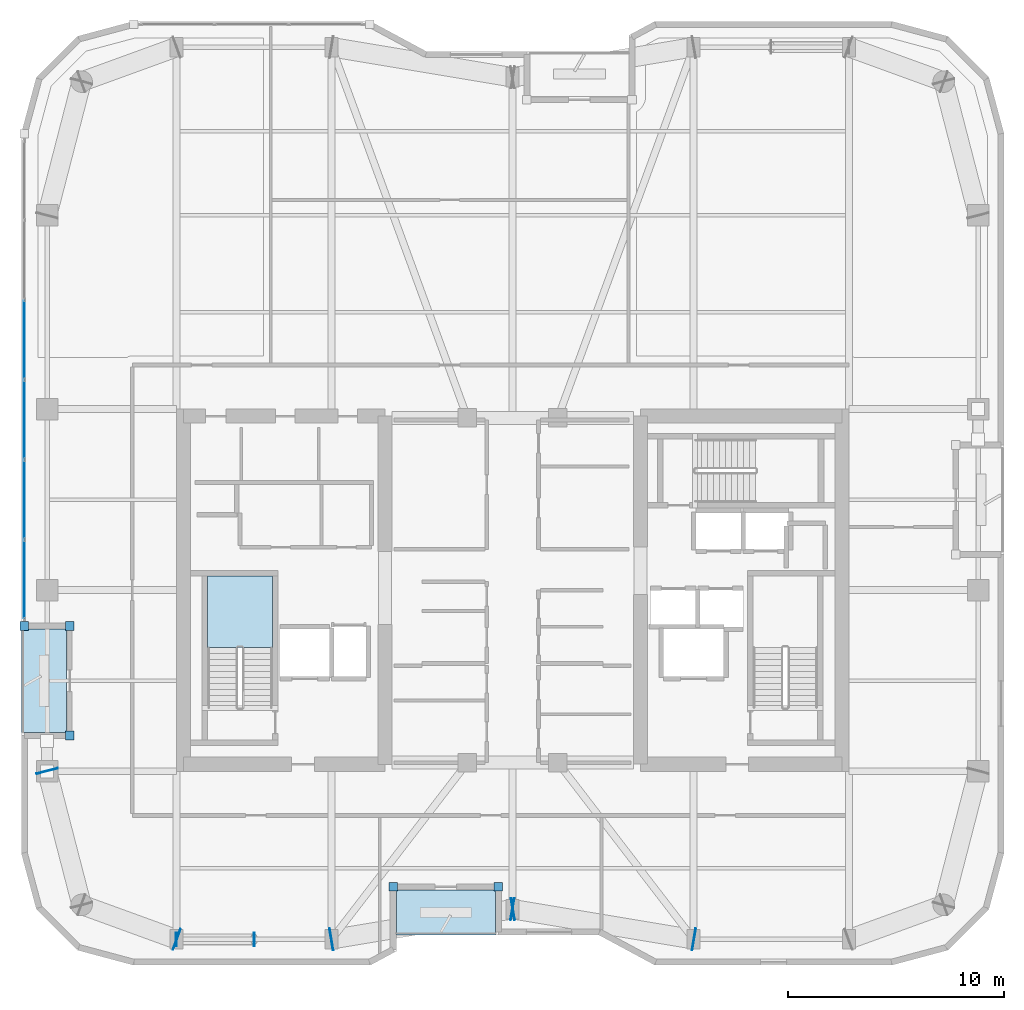
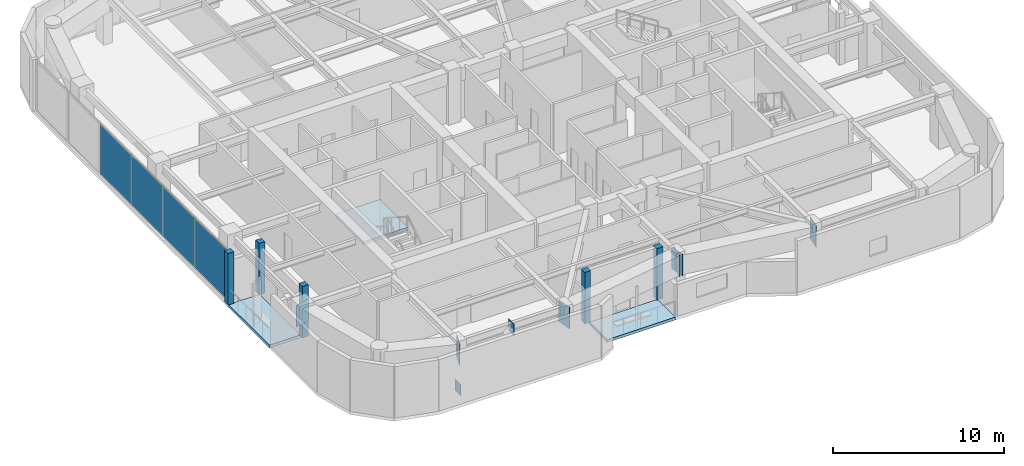
# One storey, part 12 of 21: 17 plates, 3 slabs, 2 elements without a shape of their own.
"""IFC4 building model written with IfcOpenShell, lengths in metres."""

from ifc_helpers import new_model, si_unit, direction, frame, origin, origin_2d, place, context, subcontext, project, spatial, polyline, rectangle, outline, extrude, material, layer, layer_set, type_object, element, aggregate, save


model = new_model("IFC4")

# Units and contexts
model_context = context("Model", 3, precision=1e-05, world=origin(), true_north=direction((0.0, 1.0)))
body_context = subcontext(model_context, "Body", "Model", "MODEL_VIEW")
ifc_project = project(units=[si_unit("LENGTHUNIT", "METRE"), si_unit("AREAUNIT", "SQUARE_METRE"), si_unit("VOLUMEUNIT", "CUBIC_METRE"), si_unit("PLANEANGLEUNIT", "RADIAN"), si_unit("MASSUNIT", "GRAM", prefix="KILO")], contexts=[model_context])

# Site, building, storey
site_placement = place(None, origin())
site = spatial("IfcSite", under=ifc_project, at=site_placement, CompositionType="ELEMENT")
building_placement = place(site_placement, origin())
building = spatial("IfcBuilding", under=site, at=building_placement, Name="Kiyonajd Concourse Tower", CompositionType="ELEMENT")
storey_placement = place(building_placement, frame((0.0, 0.0, 234.89990234375)))
storey = spatial("IfcBuildingStorey", under=building, at=storey_placement, Name="L59", CompositionType="ELEMENT", Elevation=234.89990234375)

# Plates
ifc_material_1 = material(Name="Steel ASTM A572 Grade 50", Category="steel")
ifc_layer_1 = layer(ifc_material_1, 0.028076171875)
ifc_layer_set_1 = layer_set([ifc_layer_1], Name="Steel ASTM A572 Grade 50")
plate_type_1 = type_object("IfcPlateType", Name="PL-CAP-450", PredefinedType="USERDEFINED", material=ifc_layer_set_1)
for number, where, z_axis, x_axis, name in (
    (1, (32.3916015625, 19.800048828125, -0.10888671875), (0.0, 0.0, 1.0), (-1.0, 0.0, 0.0), "L59 Hollow Brace End Cap Plate PBS"),
    (2, (36.00830078125, 19.800048828125, 2.93505859375), (0.0, 0.0, 1.0), (1.0, 0.0, 0.0), "L59 Hollow Brace Top Cap Plate PBS"),
):
    element("IfcPlate", number, at=place(storey_placement, frame(where, z_axis=z_axis, x_axis=x_axis)), inside=storey, type_object=plate_type_1, Name=name, ObjectType="CAP PLATE", PredefinedType="USERDEFINED", context=body_context, shape_type="SweptSolid", body=[
        extrude(rectangle(XDim=0.035888671875, YDim=0.6279296875, at=origin_2d()), origin(), (0.0, 0.0, 1.0), 0.803955078125),
    ])
ifc_layer_2 = layer(ifc_material_1, 0.031982421875)
ifc_layer_set_2 = layer_set([ifc_layer_2], Name="Steel ASTM A572 Grade 50")
plate_type_2 = type_object("IfcPlateType", Name="PL-CAP-540", PredefinedType="USERDEFINED", material=ifc_layer_set_2)
for number, where, z_axis, x_axis, name in (
    (3, (26.397216796875, 27.610595703125, 2.2099609375), (0.0, 0.0, 1.0), (-0.249873048837, 0.968278606324, 0.0), "L59 Welded Box Girder End Cap"),
    (4, (32.410400390625, 19.796142578125, 2.2099609375), (0.0, 0.0, 1.0), (0.939811951086, -0.341692107891, 0.0), "L59 Welded Box Girder End Cap"),
    (5, (39.589111328125, 19.798095703125, 2.2099609375), (0.0, 0.0, 1.0), (-0.986400586142, -0.164359008451, 0.0), "L59 Welded Box Girder End Cap"),
    (6, (48.010986328125, 21.201904296875, 2.2099609375), (0.0, 0.0, 1.0), (0.986400586142, 0.164359008451, 0.0), "L59 Welded Box Girder End Cap"),
    (7, (47.989013671875, 21.201904296875, 2.2099609375), (0.0, 0.0, 1.0), (-0.986400586142, 0.164359008451, 0.0), "L59 Welded Box Girder End Cap"),
    (8, (56.410888671875, 19.798095703125, 2.2099609375), (0.0, 0.0, 1.0), (0.986400586142, -0.164359008451, 0.0), "L59 Welded Box Girder End Cap"),
):
    element("IfcPlate", number, at=place(storey_placement, frame(where, z_axis=z_axis, x_axis=x_axis)), inside=storey, type_object=plate_type_2, Name=name, ObjectType="CAP PLATE", PredefinedType="USERDEFINED", context=body_context, shape_type="SweptSolid", body=[
        extrude(rectangle(XDim=0.035888671875, YDim=1.02001953125, at=origin_2d()), origin(), (0.0, 0.0, 1.0), 1.5400390625),
    ])

# Curtain wall, plates
ifc_material_2 = material(Name="Thermally Broken Anodised Aluminium", Category="aluminium")
ifc_layer_3 = layer(ifc_material_2, 0.179931640625)
ifc_layer_set_3 = layer_set([ifc_layer_3], Name="Thermally Broken Anodised Aluminium")
curtain_wall_type = type_object("IfcCurtainWallType", Name="CW-SYS-04", PredefinedType="NOTDEFINED", material=ifc_layer_set_3)
curtain_wall_placement = place(storey_placement, origin())
curtain_wall = element("IfcCurtainWall", 9, at=curtain_wall_placement, inside=storey, type_object=curtain_wall_type, Name="L59 Unitised Curtain Wall CW4", PredefinedType="NOTDEFINED")
ifc_material_3 = material(Name="Double Low-E Insulated Glass", Category="glass")
ifc_layer_4 = layer(ifc_material_3, 0.033935546875)
ifc_layer_set_4 = layer_set([ifc_layer_4], Name="Double Low-E Insulated Glass")
plate_type_3 = type_object("IfcPlateType", Name="PL-CW-VIS34", PredefinedType="CURTAIN_PANEL", material=ifc_layer_set_4)
plate_1_placement = place(storey_placement, frame((25.340087890625, 36.50146484375, 0.06494140625), z_axis=(0.0, 0.0, 1.0), x_axis=(0.0, 1.0, 0.0)))
plate_1 = element("IfcPlate", 10, at=plate_1_placement, type_object=plate_type_3, Name="CW4 panel 1.1", PredefinedType="CURTAIN_PANEL", context=body_context, shape_type="SweptSolid", body=[
    extrude(rectangle(XDim=3.61279296875, YDim=0.033935546875, at=origin_2d()), origin(), (0.0, 0.0, 1.0), 3.550048828125),
])
plate_2_placement = place(storey_placement, frame((25.340087890625, 40.1953125, 0.06494140625), z_axis=(0.0, 0.0, 1.0), x_axis=(0.0, 1.0, 0.0)))
plate_2 = element("IfcPlate", 11, at=plate_2_placement, type_object=plate_type_3, Name="CW4 panel 2.1", PredefinedType="CURTAIN_PANEL", context=body_context, shape_type="SweptSolid", body=[
    extrude(rectangle(XDim=3.645263671875, YDim=0.033935546875, at=origin_2d()), origin(), (0.0, 0.0, 1.0), 3.550048828125),
])
plate_3_placement = place(storey_placement, frame((25.340087890625, 43.90576171875, 0.06494140625), z_axis=(0.0, 0.0, 1.0), x_axis=(0.0, 1.0, 0.0)))
plate_3 = element("IfcPlate", 12, at=plate_3_placement, type_object=plate_type_3, Name="CW4 panel 3.1", PredefinedType="CURTAIN_PANEL", context=body_context, shape_type="SweptSolid", body=[
    extrude(rectangle(XDim=3.645263671875, YDim=0.033935546875, at=origin_2d()), origin(), (0.0, 0.0, 1.0), 3.550048828125),
])
plate_4_placement = place(storey_placement, frame((25.340087890625, 47.615966796875, 0.06494140625), z_axis=(0.0, 0.0, 1.0), x_axis=(0.0, 1.0, 0.0)))
plate_4 = element("IfcPlate", 13, at=plate_4_placement, type_object=plate_type_3, Name="CW4 panel 4.1", PredefinedType="CURTAIN_PANEL", context=body_context, shape_type="SweptSolid", body=[
    extrude(rectangle(XDim=3.645263671875, YDim=0.033935546875, at=origin_2d()), origin(), (0.0, 0.0, 1.0), 3.550048828125),
])
aggregate(curtain_wall, [plate_1, plate_2, plate_3, plate_4])

# Plates
ifc_layer_5 = layer(ifc_material_2, 0.39990234375)
ifc_layer_set_5 = layer_set([ifc_layer_5], Name="Thermally Broken Anodised Aluminium")
plate_type_4 = type_object("IfcPlateType", Name="PL-JMB-400", PredefinedType="USERDEFINED", material=ifc_layer_set_5)
for number, where, z_axis, x_axis, name in (
    (14, (27.43994140625, 29.260009765625, 0.0), (0.0, 0.0, 1.0), (1.0, 0.0, 0.0), "L59 Facade Jamb Closure Plate 01"),
    (15, (27.43994140625, 34.340087890625, 0.0), (0.0, 0.0, 1.0), (1.0, 0.0, 0.0), "L59 Facade Jamb Closure Plate 02"),
    (16, (25.340087890625, 34.340087890625, 0.0), (0.0, 0.0, 1.0), (1.0, 0.0, 0.0), "L59 Facade Jamb Closure Plate 03"),
    (17, (47.340087890625, 22.239990234375, 0.0), (0.0, 0.0, 1.0), (1.0, 0.0, 0.0), "L59 Facade Jamb Closure Plate 11"),
    (18, (42.4599609375, 22.239990234375, 0.0), (0.0, 0.0, 1.0), (1.0, 0.0, 0.0), "L59 Facade Jamb Closure Plate 12"),
):
    element("IfcPlate", number, at=place(storey_placement, frame(where, z_axis=z_axis, x_axis=x_axis)), inside=storey, type_object=plate_type_4, Name=name, ObjectType="JAMB PLATE", PredefinedType="USERDEFINED", context=body_context, shape_type="SweptSolid", body=[
        extrude(rectangle(XDim=0.39990234375, YDim=0.39990234375, at=origin_2d()), origin(), (0.0, 0.0, 1.0), 3.679931640625),
    ])

# Stair, slab
ifc_material_4 = material(Name="Concrete C40/50", Category="concrete")
stair_type = type_object("IfcStairType", Name="ST-DLG-22R", PredefinedType="HALF_TURN_STAIR", material=ifc_material_4)
stair_placement = place(storey_placement, origin())
stair = element("IfcStair", 19, at=stair_placement, inside=storey, type_object=stair_type, Name="L59 Protected Exit Stair ST1", PredefinedType="HALF_TURN_STAIR")
ifc_layer_6 = layer(ifc_material_4, 0.199951171875)
ifc_layer_set_6 = layer_set([ifc_layer_6], Name="Concrete C40/50")
slab_type_1 = type_object("IfcSlabType", Name="SL-LND-200", PredefinedType="LANDING", material=ifc_layer_set_6)
slab_1_placement = place(storey_placement, frame((0.0, 0.0, 1.75)))
slab_1 = element("IfcSlab", 20, at=slab_1_placement, type_object=slab_type_1, Name="ST1 landing 1", PredefinedType="LANDING", context=body_context, shape_type="SweptSolid", body=[
    extrude(outline(polyline([(36.85009765625, 33.35009765625), (36.85009765625, 36.64990234375), (33.85009765625, 36.64990234375), (33.85009765625, 33.35009765625), (36.85009765625, 33.35009765625)])), origin(), (0.0, 0.0, 1.0), 0.2001953125),
])
aggregate(stair, [slab_1])

# Slabs
ifc_material_5 = material(Name="Precast concrete C50/60", Category="concrete")
ifc_layer_7 = layer(ifc_material_5, 0.199951171875)
ifc_layer_set_7 = layer_set([ifc_layer_7], Name="Precast concrete C50/60")
slab_type_2 = type_object("IfcSlabType", Name="SL-LOG-200", PredefinedType="FLOOR", material=ifc_layer_set_7)
slab_2_placement = place(storey_placement, frame((0.0, 0.0, -0.199951171875)))
element("IfcSlab", 21, at=slab_2_placement, inside=storey, type_object=slab_type_2, Name="L59 Recessed Engawa Loggia Terrace Slab LOG-S", PredefinedType="FLOOR", context=body_context, shape_type="SweptSolid", body=[
    extrude(outline(polyline([(42.60009765625, 20.0), (47.199951171875, 20.0), (47.199951171875, 22.10009765625), (42.60009765625, 22.10009765625), (42.60009765625, 20.0)])), origin(), (0.0, 0.0, 1.0), 0.199951171875),
])
slab_3_placement = place(storey_placement, frame((0.0, 0.0, -0.199951171875)))
element("IfcSlab", 22, at=slab_3_placement, inside=storey, type_object=slab_type_2, Name="L59 Recessed Engawa Loggia Terrace Slab LOG-W", PredefinedType="FLOOR", context=body_context, shape_type="SweptSolid", body=[
    extrude(outline(polyline([(25.199951171875, 29.39990234375), (27.300048828125, 29.39990234375), (27.300048828125, 34.199951171875), (25.199951171875, 34.199951171875), (25.199951171875, 29.39990234375)])), origin(), (0.0, 0.0, 1.0), 0.199951171875),
])

save(model, "model.ifc")
